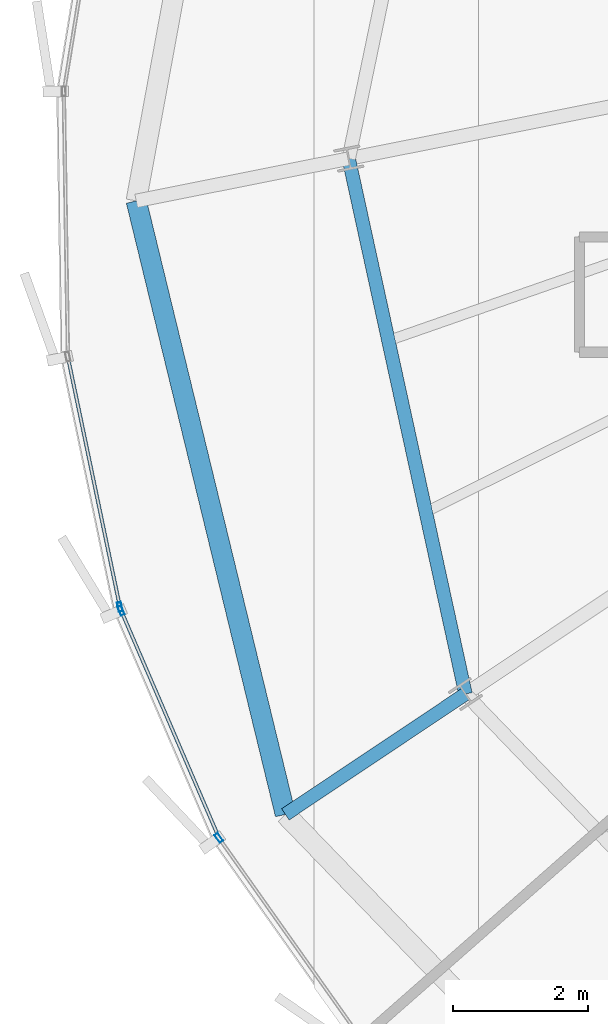
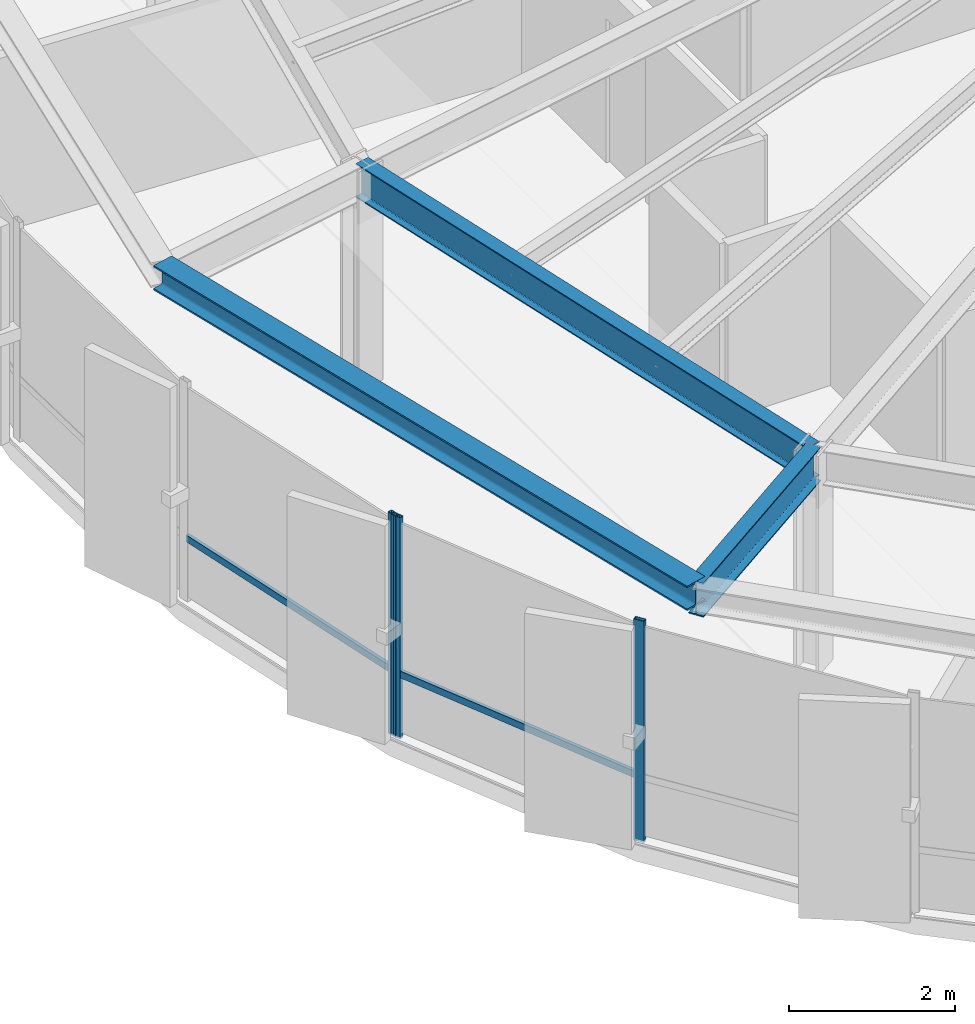
# One storey, part 4 of 37: 5 members, 3 beams, 2 elements without a shape of their own.
"""IFC4 building model written with IfcOpenShell, lengths in metres."""

from ifc_helpers import new_model, si_unit, direction, frame, origin, origin_2d, place, context, subcontext, project, spatial, hollow_rectangle, i_section, extrude, source, transform, mapped, material, layer, layer_set, material_profile, profile_set, type_object, element, aggregate, save


model = new_model("IFC4")

# Units and contexts
model_context = context("Model", 3, precision=1e-05, world=origin(), true_north=direction((0.0, 1.0)))
body_context = subcontext(model_context, "Body", "Model", "MODEL_VIEW")
ifc_project = project(units=[si_unit("LENGTHUNIT", "METRE"), si_unit("AREAUNIT", "SQUARE_METRE"), si_unit("VOLUMEUNIT", "CUBIC_METRE"), si_unit("PLANEANGLEUNIT", "RADIAN"), si_unit("MASSUNIT", "GRAM", prefix="KILO"), si_unit("THERMODYNAMICTEMPERATUREUNIT", "KELVIN")], contexts=[model_context])

# Site, building, storey
site_placement = place(None, origin())
site = spatial("IfcSite", under=ifc_project, at=site_placement, CompositionType="ELEMENT")
building_placement = place(site_placement, origin())
building = spatial("IfcBuilding", under=site, at=building_placement, Name="Kethvar Cultural Tower", CompositionType="ELEMENT")
storey_placement = place(building_placement, frame((0.0, 0.0, 200.89990234375)))
storey = spatial("IfcBuildingStorey", under=building, at=storey_placement, Name="L52", CompositionType="ELEMENT", Elevation=200.89990234375)

# Beams
ifc_material_1 = material(Name="Steel S355J2", Category="steel")
ifc_material_profile_1 = material_profile(ifc_material_1, i_section(OverallWidth=0.199951171875, OverallDepth=0.5, WebThickness=0.01025390625, FlangeThickness=0.01611328125, FilletRadius=0.02099609375, at=origin_2d()), Name="Steel S355J2 — IPE500")
ifc_profile_set_1 = profile_set([ifc_material_profile_1], Name="Steel S355J2 — IPE500")
beam_type_1 = type_object("IfcBeamType", Name="BM-IPE500", PredefinedType="BEAM", material=ifc_profile_set_1)
shared_shape_1 = source(origin(), body_context, "Body", "SweptSolid", [
    extrude(i_section(OverallWidth=0.199951171875, OverallDepth=0.5, WebThickness=0.01025390625, FlangeThickness=0.01611328125, FilletRadius=0.02099609375, at=origin_2d()), origin(), (0.0, 0.0, 1.0), 3.199951171875),
])
beam_1_placement = place(storey_placement, frame((29.217529296875, 16.0517578125, 3.008056640625), z_axis=(-0.831462943996, -0.555580212716, 0.0), x_axis=(0.555580212716, -0.831462943996, 0.0)))
element("IfcBeam", 1, at=beam_1_placement, inside=storey, type_object=beam_type_1, Name="L52 Perimeter Cantilever Beam RC-10", PredefinedType="BEAM", context=body_context, shape_type="MappedRepresentation", body=[
    mapped(shared_shape_1, transform((0.0, 0.0, 0.0), scale=1.0)),
])
shared_shape_2 = source(origin(), body_context, "Body", "SweptSolid", [
    extrude(i_section(OverallWidth=0.199951171875, OverallDepth=0.5, WebThickness=0.01025390625, FlangeThickness=0.01611328125, FilletRadius=0.02099609375, at=origin_2d()), origin(), (0.0, 0.0, 1.0), 8.09375),
])
beam_2_placement = place(storey_placement, frame((27.492919921875, 23.959716796875, 3.008056640625), z_axis=(0.213077030298, -0.977035403227, 0.0), x_axis=(0.977035403227, 0.213077030298, 0.0)))
element("IfcBeam", 2, at=beam_2_placement, inside=storey, type_object=beam_type_1, Name="L52 Column Ring Tie Beam CR-09", PredefinedType="BEAM", context=body_context, shape_type="MappedRepresentation", body=[
    mapped(shared_shape_2, transform((0.0, 0.0, 0.0), scale=1.0)),
])
ifc_material_profile_2 = material_profile(ifc_material_1, i_section(OverallWidth=0.300048828125, OverallDepth=0.360107421875, WebThickness=0.012451171875, FlangeThickness=0.0224609375, FilletRadius=0.027099609375, at=origin_2d()), Name="Steel S355J2 — HEB360")
ifc_profile_set_2 = profile_set([ifc_material_profile_2], Name="Steel S355J2 — HEB360")
beam_type_2 = type_object("IfcBeamType", Name="BM-SP360", PredefinedType="SPANDREL", material=ifc_profile_set_2)
shared_shape_3 = source(origin(), body_context, "Body", "SweptSolid", [
    extrude(i_section(OverallWidth=0.300048828125, OverallDepth=0.360107421875, WebThickness=0.012451171875, FlangeThickness=0.0224609375, FilletRadius=0.027099609375, at=origin_2d()), origin(), (0.0, 0.0, 1.0), 9.3251953125),
])
beam_3_placement = place(storey_placement, frame((24.3544921875, 23.335205078125, 3.078125), z_axis=(0.236179213868, -0.97170951366, 0.0), x_axis=(0.97170951366, 0.236179213868, 0.0)))
element("IfcBeam", 3, at=beam_3_placement, inside=storey, type_object=beam_type_2, Name="L52 Perimeter Spandrel Beam SP-09", PredefinedType="SPANDREL", context=body_context, shape_type="MappedRepresentation", body=[
    mapped(shared_shape_3, transform((0.0, 0.0, 0.0), scale=1.0)),
])

# Curtain wall, member
ifc_material_2 = material(Name="Aluminium 6063-T6", Category="aluminium")
ifc_layer = layer(ifc_material_2, 0.179931640625, Name="Aluminium 6063-T6", Category="aluminium")
ifc_layer_set = layer_set([ifc_layer], Name="Aluminium 6063-T6 (180 mm)")
curtain_wall_type = type_object("IfcCurtainWallType", Name="CW-SYS-04-Z34", PredefinedType="NOTDEFINED", material=ifc_layer_set)
curtain_wall_1_placement = place(storey_placement, origin())
curtain_wall_1 = element("IfcCurtainWall", 4, at=curtain_wall_1_placement, inside=storey, type_object=curtain_wall_type, Name="L52 Curtain Wall Run 03", PredefinedType="NOTDEFINED")
ifc_material_profile_3 = material_profile(ifc_material_2, hollow_rectangle(XDim=0.06005859375, YDim=0.139892578125, WallThickness=0.0048828125, at=origin_2d()), Name="Aluminium 6063-T6 — RHS140x60x5")
ifc_profile_set_3 = profile_set([ifc_material_profile_3], Name="Aluminium 6063-T6 — RHS140x60x5")
member_type_1 = type_object("IfcMemberType", Name="CW-SYS-04-Z34-MUL", PredefinedType="MULLION", material=ifc_profile_set_3)
shared_shape_4 = source(origin(), body_context, "Body", "SweptSolid", [
    extrude(hollow_rectangle(XDim=0.06005859375, YDim=0.139892578125, WallThickness=0.0048828125, at=origin_2d()), origin(), (0.0, 0.0, 1.0), 3.260009765625),
])
member_1_placement = place(storey_placement, frame((24.113525390625, 17.338623046875, 0.0), z_axis=(0.0, 0.0, 1.0), x_axis=(0.978981448229, 0.203949317292, 0.0)))
member_1 = element("IfcMember", 5, at=member_1_placement, type_object=member_type_1, Name="CW-L52-R03 Mullion 7", PredefinedType="MULLION", context=body_context, shape_type="MappedRepresentation", body=[
    mapped(shared_shape_4, transform((0.0, 0.0, 0.0), scale=1.0)),
])

# Curtain wall, members
curtain_wall_2_placement = place(storey_placement, origin())
curtain_wall_2 = element("IfcCurtainWall", 6, at=curtain_wall_2_placement, inside=storey, type_object=curtain_wall_type, Name="L52 Curtain Wall Run 04", PredefinedType="NOTDEFINED")
member_2_placement = place(storey_placement, frame((24.13037109375, 17.28564453125, 0.0), z_axis=(0.0, 0.0, 1.0), x_axis=(0.918446381343, 0.395545502563, 0.0)))
member_2 = element("IfcMember", 7, at=member_2_placement, type_object=member_type_1, Name="CW-L52-R04 Mullion 1", PredefinedType="MULLION", context=body_context, shape_type="MappedRepresentation", body=[
    mapped(shared_shape_4, transform((0.0, 0.0, 0.0), scale=1.0)),
])
member_3_placement = place(storey_placement, frame((25.57373046875, 13.927978515625, 0.0), z_axis=(0.0, 0.0, 1.0), x_axis=(0.81605689798, 0.577971573055, 0.0)))
member_3 = element("IfcMember", 8, at=member_3_placement, type_object=member_type_1, Name="CW-L52-R04 Mullion 2", PredefinedType="MULLION", context=body_context, shape_type="MappedRepresentation", body=[
    mapped(shared_shape_4, transform((0.0, 0.0, 0.0), scale=1.0)),
])

# Member
ifc_material_profile_4 = material_profile(ifc_material_2, hollow_rectangle(XDim=0.050048828125, YDim=0.10009765625, WallThickness=0.00390625, at=origin_2d()), Name="Aluminium 6063-T6 — RHS100x50x4")
ifc_profile_set_4 = profile_set([ifc_material_profile_4], Name="Aluminium 6063-T6 — RHS100x50x4")
member_type_2 = type_object("IfcMemberType", Name="CW-SYS-04-Z34-TRN", PredefinedType="USERDEFINED", material=ifc_profile_set_4)
shared_shape_5 = source(origin(), body_context, "Body", "SweptSolid", [
    extrude(hollow_rectangle(XDim=0.050048828125, YDim=0.10009765625, WallThickness=0.00390625, at=origin_2d()), origin(), (0.0, 0.0, 1.0), 3.726806640625),
])
member_4_placement = place(storey_placement, frame((23.352783203125, 20.9912109375, 0.9501953125), z_axis=(0.203933325675, -0.978984779595, 0.0), x_axis=(0.978984779595, 0.203933325675, 0.0)))
member_4 = element("IfcMember", 9, at=member_4_placement, type_object=member_type_2, Name="CW-L52-R03 Transom 6", ObjectType="TRANSOM", PredefinedType="USERDEFINED", context=body_context, shape_type="MappedRepresentation", body=[
    mapped(shared_shape_5, transform((0.0, 0.0, 0.0), scale=1.0)),
])

aggregate(curtain_wall_1, [member_1, member_4])

shared_shape_6 = source(origin(), body_context, "Body", "SweptSolid", [
    extrude(hollow_rectangle(XDim=0.050048828125, YDim=0.10009765625, WallThickness=0.00390625, at=origin_2d()), origin(), (0.0, 0.0, 1.0), 3.630126953125),
])
member_5_placement = place(storey_placement, frame((24.132080078125, 17.28173828125, 0.9501953125), z_axis=(0.395533999839, -0.918451335113, 0.0), x_axis=(0.918451335113, 0.395533999839, 0.0)))
member_5 = element("IfcMember", 10, at=member_5_placement, type_object=member_type_2, Name="CW-L52-R04 Transom 1", ObjectType="TRANSOM", PredefinedType="USERDEFINED", context=body_context, shape_type="MappedRepresentation", body=[
    mapped(shared_shape_6, transform((0.0, 0.0, 0.0), scale=1.0)),
])

aggregate(curtain_wall_2, [member_2, member_3, member_5])

save(model, "model.ifc")
